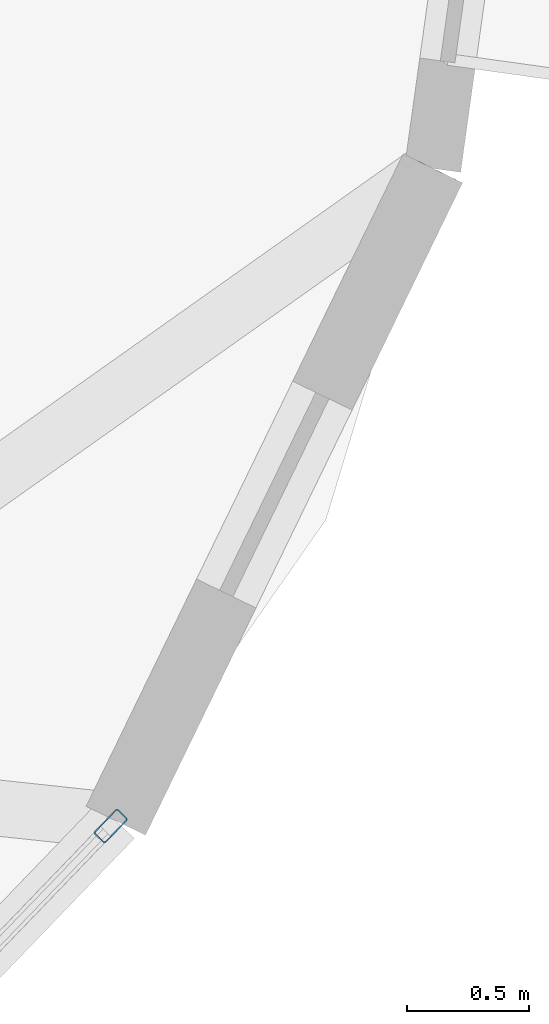
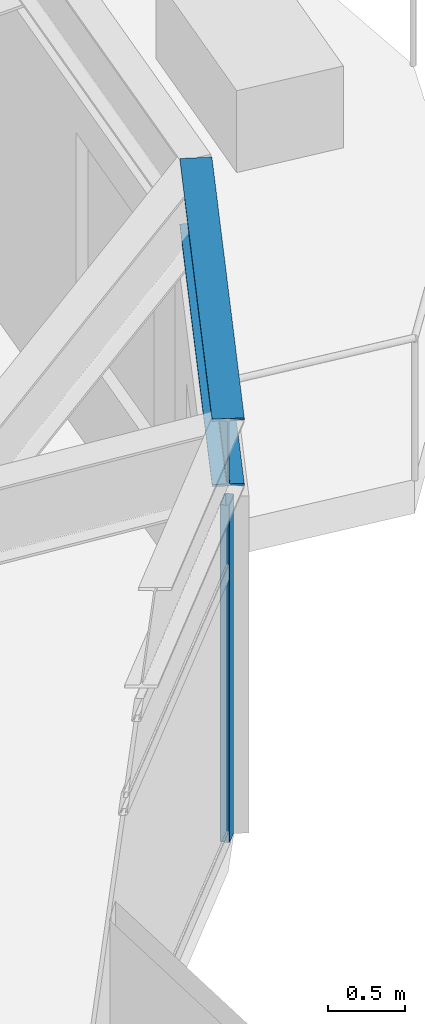
# One storey, part 13 of 28: 1 beam, 1 member, 1 element without a shape of its own.
"""IFC4 building model written with IfcOpenShell, lengths in metres."""

from ifc_helpers import new_model, si_unit, direction, frame, origin, origin_2d, place, context, subcontext, project, spatial, hollow_rectangle, i_section, extrude, material, layer, layer_set, material_profile, profile_set, type_object, element, aggregate, save


model = new_model("IFC4")

# Units and contexts
model_context = context("Model", 3, precision=1e-05, world=origin(), true_north=direction((0.0, 1.0)))
body_context = subcontext(model_context, "Body", "Model", "MODEL_VIEW")
ifc_project = project(units=[si_unit("LENGTHUNIT", "METRE"), si_unit("AREAUNIT", "SQUARE_METRE"), si_unit("VOLUMEUNIT", "CUBIC_METRE"), si_unit("PLANEANGLEUNIT", "RADIAN"), si_unit("MASSUNIT", "GRAM", prefix="KILO")], contexts=[model_context])

# Site, building, storey
site_placement = place(None, origin())
site = spatial("IfcSite", under=ifc_project, at=site_placement, CompositionType="ELEMENT")
building_placement = place(site_placement, origin())
building = spatial("IfcBuilding", under=site, at=building_placement, Name="Soratama Intermodal Tower", CompositionType="ELEMENT")
storey_placement = place(building_placement, frame((0.0, 0.0, 205.0)))
storey = spatial("IfcBuildingStorey", under=building, at=storey_placement, Name="L51", CompositionType="ELEMENT", Elevation=205.0)

# Beam
ifc_material_1 = material(Name="Structural steel ASTM A992 Grade 50", Category="steel")
ifc_material_profile_1 = material_profile(ifc_material_1, i_section(OverallWidth=0.2099609375, OverallDepth=0.537109375, WebThickness=0.010986328125, FlangeThickness=0.017333984375, FilletRadius=0.012939453125, at=origin_2d()), Name="W21X68")
ifc_profile_set_1 = profile_set([ifc_material_profile_1], Name="Structural steel ASTM A992 Grade 50")
beam_type = type_object("IfcBeamType", Name="BM-SPN-W21X68", PredefinedType="SPANDREL", material=ifc_profile_set_1)
beam_placement = place(storey_placement, frame((62.462890625, 14.864013671875, 3.031494140625), z_axis=(0.437244480512, 0.899342684554, 0.0), x_axis=(-0.899342684554, 0.437244480512, 0.0)))
element("IfcBeam", 1, at=beam_placement, inside=storey, type_object=beam_type, Name="BS-L51-CRN08", PredefinedType="SPANDREL", context=body_context, shape_type="SweptSolid", body=[
    extrude(i_section(OverallWidth=0.2099609375, OverallDepth=0.537109375, WebThickness=0.010986328125, FlangeThickness=0.017333984375, FilletRadius=0.012939453125, at=origin_2d()), origin(), (0.0, 0.0, 1.0), 2.966552734375),
])

# Curtain wall, member
ifc_material_2 = material(Name="Double-glazed aluminium curtain wall", Category="aluminium")
ifc_layer = layer(ifc_material_2, 0.159912109375)
ifc_layer_set = layer_set([ifc_layer], Name="Double-glazed aluminium curtain wall")
curtain_wall_type = type_object("IfcCurtainWallType", Name="CW-SYS-5", PredefinedType="NOTDEFINED", material=ifc_layer_set)
curtain_wall_placement = place(storey_placement, origin())
curtain_wall = element("IfcCurtainWall", 2, at=curtain_wall_placement, inside=storey, type_object=curtain_wall_type, Name="L51 Faceted Curtain Wall F08", PredefinedType="NOTDEFINED")
ifc_material_3 = material(Name="Anodised aluminium AA 6063-T6", Category="aluminium")
ifc_material_profile_2 = material_profile(ifc_material_3, hollow_rectangle(XDim=0.06494140625, YDim=0.139892578125, WallThickness=0.0048828125, InnerFilletRadius=0.0048828125, OuterFilletRadius=0.010009765625, at=origin_2d()), Name="CWM140X65X5")
ifc_profile_set_2 = profile_set([ifc_material_profile_2], Name="Anodised aluminium AA 6063-T6")
member_type = type_object("IfcMemberType", Name="MT-CWM-5", PredefinedType="MULLION", material=ifc_profile_set_2)
member_placement = place(storey_placement, frame((62.4423828125, 14.842041015625, 0.0), z_axis=(0.0, 0.0, 1.0), x_axis=(-0.720307138227, 0.693655264969, 0.0)))
member = element("IfcMember", 3, at=member_placement, type_object=member_type, Name="CW-5 mullion 3", PredefinedType="MULLION", context=body_context, shape_type="SweptSolid", body=[
    extrude(hollow_rectangle(XDim=0.06494140625, YDim=0.139892578125, WallThickness=0.0048828125, InnerFilletRadius=0.0048828125, OuterFilletRadius=0.010009765625, at=origin_2d()), origin(), (0.0, 0.0, 1.0), 2.678955078125),
])
aggregate(curtain_wall, [member])

save(model, "model.ifc")
